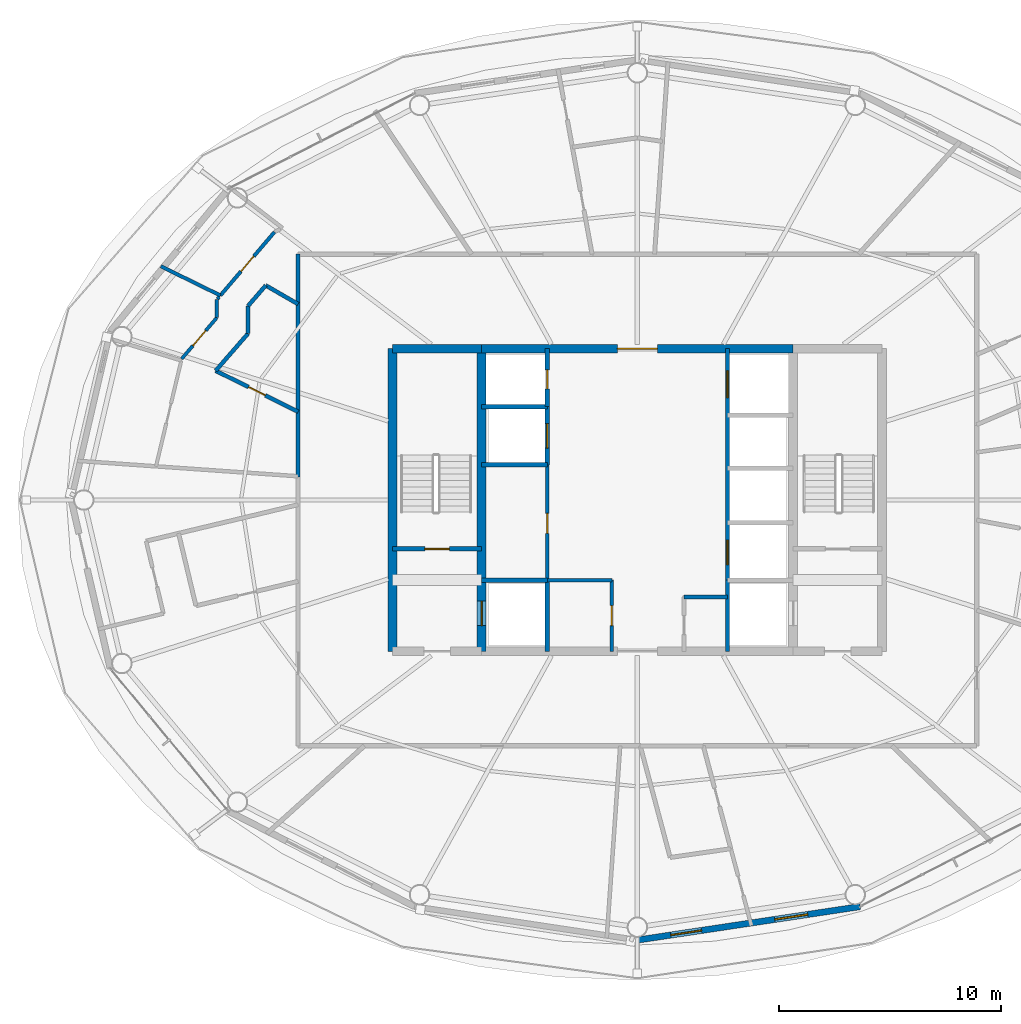
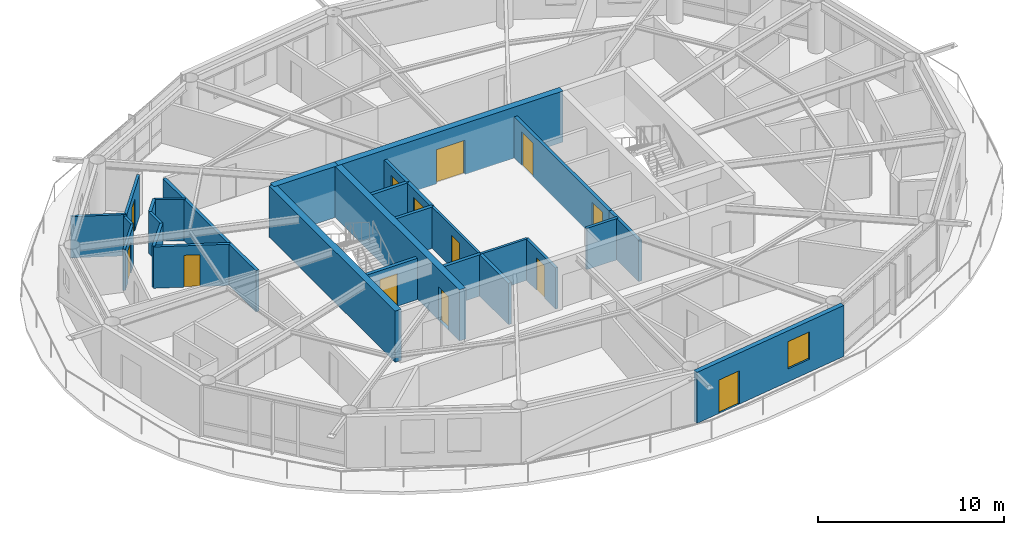
# One storey, part 16 of 22: 29 walls, 13 doors, 1 window, 14 openings.
"""IFC4 building model written with IfcOpenShell, lengths in metres."""

import ifcopenshell
import ifcopenshell.guid

model = None  # the IFC model being written
_history = None  # IfcOwnerHistory: only IFC2X3 demands one
_inside = {}  # id of a spatial element -> (the spatial element, [elements in it])
_under = {}  # id of a project, library or spatial element -> (it, [spatial elements below it])
_declared = {}  # id of a project -> (the project, [libraries it declares])
_typed = {}  # id of a type object -> (the type object, [elements of that type])
_made_of = {}  # id of a material, layer set ... -> (it, [elements and type objects made of it])


def new_model(schema):
    """Start an empty IFC model of exactly this schema.

    Asked for "IFC4X3", IfcOpenShell would pick the latest addendum, in which some entities
    have other attributes; the version numbers below select the first issue.
    IFC2X3 requires an IfcOwnerHistory on every rooted entity: one is made here for all.
    """
    global model, _history
    if schema == "IFC4X3":
        model = ifcopenshell.file(schema_version=(4, 3, 0, 0))
    else:
        model = ifcopenshell.file(schema=schema)
    _inside.clear()
    _under.clear()
    _declared.clear()
    _typed.clear()
    _made_of.clear()
    _history = None
    if model.schema == "IFC2X3":
        org = make("IfcOrganization", Name="unknown")
        user = make(
            "IfcPersonAndOrganization",
            ThePerson=make("IfcPerson", FamilyName="unknown"),
            TheOrganization=org,
        )
        app = make(
            "IfcApplication",
            ApplicationDeveloper=org,
            Version="unknown",
            ApplicationFullName="unknown",
            ApplicationIdentifier="unknown",
        )
        _history = make(
            "IfcOwnerHistory",
            OwningUser=user,
            OwningApplication=app,
            ChangeAction="ADDED",
            CreationDate=0,
        )
    return model


def make(cls, **values):
    """One entity of the class cls with the attributes given. An attribute that is None is left unset."""
    return model.create_entity(
        cls, **{name: value for name, value in values.items() if value is not None}
    )


def rooted(cls, **values):
    """An entity with a GlobalId (a new one), such as an element, a storey or a relation."""
    return make(cls, GlobalId=ifcopenshell.guid.new(), OwnerHistory=_history, **values)


def si_unit(unit_type, name, prefix=None):
    """IfcSIUnit, for example si_unit("LENGTHUNIT", "METRE", prefix="MILLI")."""
    return make("IfcSIUnit", UnitType=unit_type, Prefix=prefix, Name=name)


def assignment(units):
    """IfcUnitAssignment: the units of a project."""
    return None if units is None else make("IfcUnitAssignment", Units=units)


def point(xyz):
    """IfcCartesianPoint."""
    return None if xyz is None else make("IfcCartesianPoint", Coordinates=xyz)


def direction(xyz):
    """IfcDirection."""
    return None if xyz is None else make("IfcDirection", DirectionRatios=xyz)


def frame(location, z_axis=None, x_axis=None):
    """IfcAxis2Placement3D, a coordinate frame: its origin and axes. An axis left out is left unset."""
    return make(
        "IfcAxis2Placement3D",
        Location=point(location),
        Axis=direction(z_axis),
        RefDirection=direction(x_axis),
    )


def frame_2d(location, x_axis=None):
    """IfcAxis2Placement2D, a coordinate frame in the plane: its origin and x axis."""
    return make(
        "IfcAxis2Placement2D", Location=point(location), RefDirection=direction(x_axis)
    )


def origin():
    """The frame at (0, 0, 0) with its axes left unset."""
    return frame((0.0, 0.0, 0.0))


def place(relative_to, where):
    """IfcLocalPlacement: puts the frame where relative to a parent placement (None: the world)."""
    return make(
        "IfcLocalPlacement", PlacementRelTo=relative_to, RelativePlacement=where
    )


def context(
    kind, dimensions, precision=None, world=None, true_north=None, identifier=None
):
    """IfcGeometricRepresentationContext, for example the 3D "Model" context."""
    return make(
        "IfcGeometricRepresentationContext",
        ContextIdentifier=identifier,
        ContextType=kind,
        CoordinateSpaceDimension=dimensions,
        Precision=precision,
        WorldCoordinateSystem=world,
        TrueNorth=true_north,
    )


def subcontext(parent, identifier, kind, view, scale=None):
    """IfcGeometricRepresentationSubContext, for example "Body" below "Model"."""
    return make(
        "IfcGeometricRepresentationSubContext",
        ContextIdentifier=identifier,
        ContextType=kind,
        ParentContext=parent,
        TargetScale=scale,
        TargetView=view,
    )


def project(units=None, contexts=None):
    """IfcProject with its units and contexts."""
    return rooted(
        "IfcProject",
        Name="project",
        RepresentationContexts=contexts,
        UnitsInContext=assignment(units),
    )


def spatial(cls, under=None, at=None, **own):
    """A site, building, storey or space (cls), placed at a placement, below another one or the project."""
    s = rooted(cls, ObjectPlacement=at, **own)
    if under is not None:
        _under.setdefault(under.id(), (under, []))[1].append(s)
    return s


def profile(cls, at=None, kind="AREA", **sizes):
    """A parametric profile (cls). Its sizes go by their IFC names, for example OverallWidth=200.0."""
    return make(cls, ProfileType=kind, Position=at, **sizes)


def rectangle(**sizes):
    """IfcRectangleProfileDef."""
    return profile("IfcRectangleProfileDef", **sizes)


def extrude(swept, where, along, depth):
    """IfcExtrudedAreaSolid: the profile swept, set in the frame where, extruded along a direction by depth."""
    return make(
        "IfcExtrudedAreaSolid",
        SweptArea=swept,
        Position=where,
        ExtrudedDirection=direction(along),
        Depth=depth,
    )


def shape(context_of_items, identifier, shape_type, items):
    """IfcShapeRepresentation: the items that make up one representation, for example the "Body"."""
    return make(
        "IfcShapeRepresentation",
        ContextOfItems=context_of_items,
        RepresentationIdentifier=identifier,
        RepresentationType=shape_type,
        Items=items,
    )


def material(Name=None, Category=None):
    """IfcMaterial."""
    return make("IfcMaterial", Name=Name, Category=Category)


def layer(
    of_material, thickness, ventilated=None, Name=None, Category=None, Priority=None
):
    """IfcMaterialLayer: one layer of a wall or slab, of a material (None: an air gap)."""
    return make(
        "IfcMaterialLayer",
        Material=of_material,
        LayerThickness=thickness,
        IsVentilated=ventilated,
        Name=Name,
        Category=Category,
        Priority=Priority,
    )


def layer_set(layers, Name=None):
    """IfcMaterialLayerSet."""
    return make("IfcMaterialLayerSet", MaterialLayers=layers, LayerSetName=Name)


def made_of(thing, what):
    """Note that an element or type object is made of a material, layer set ...; save() writes the relation."""
    if what is not None:
        _made_of.setdefault(what.id(), (what, []))[1].append(thing)
    return thing


def type_object(cls, material=None, **own):
    """A type object (cls), such as IfcWallType, which elements share."""
    return made_of(rooted(cls, **own), material)


def element(
    cls,
    number,
    at=None,
    inside=None,
    cuts=None,
    type_object=None,
    material=None,
    context=None,
    identifier="Body",
    shape_type=None,
    held_by="IfcProductDefinitionShape",
    body=None,
    shapes=None,
    **own,
):
    """One element of the class cls, such as IfcWall. Its Tag is "e" and its number.

    at: its placement. inside: the storey or other place that contains it. cuts: it is an
    opening in that element (IfcRelVoidsElement). A single representation is given by context,
    identifier, shape_type and body (its items); several are given by shapes. held_by: the class
    of the entity that holds the representations. save() writes the other relations.
    """
    e = rooted(cls, Tag="e%d" % number, ObjectPlacement=at, **own)
    if body is not None:
        shapes = [shape(context, identifier, shape_type, body)]
    if shapes is not None:
        e.Representation = make(held_by, Representations=shapes)
    if inside is not None:
        _inside.setdefault(inside.id(), (inside, []))[1].append(e)
    if cuts is not None:
        rooted(
            "IfcRelVoidsElement", RelatingBuildingElement=cuts, RelatedOpeningElement=e
        )
    if type_object is not None:
        _typed.setdefault(type_object.id(), (type_object, []))[1].append(e)
    return made_of(e, material)


def fill(opening, filler):
    """IfcRelFillsElement: the door or window that sits in an opening."""
    return rooted(
        "IfcRelFillsElement",
        RelatingOpeningElement=opening,
        RelatedBuildingElement=filler,
    )


def aggregate(whole, parts):
    """IfcRelAggregates: a whole, such as a stair, and the parts it consists of."""
    return rooted("IfcRelAggregates", RelatingObject=whole, RelatedObjects=parts)


def save(model, path):
    """Write the relations noted so far, then the file.

    IfcRelAggregates (storeys below a building ...), IfcRelContainedInSpatialStructure (elements
    in a storey), IfcRelDefinesByType, IfcRelAssociatesMaterial and IfcRelDeclares: one each for
    every whole, place, type object, material and project.
    """
    for whole, parts in _under.values():
        aggregate(whole, parts)
    for where, things in _inside.values():
        rooted(
            "IfcRelContainedInSpatialStructure",
            RelatedElements=things,
            RelatingStructure=where,
        )
    for kind, things in _typed.values():
        rooted("IfcRelDefinesByType", RelatedObjects=things, RelatingType=kind)
    for what, things in _made_of.values():
        rooted("IfcRelAssociatesMaterial", RelatedObjects=things, RelatingMaterial=what)
    for by, libraries in _declared.values():
        rooted("IfcRelDeclares", RelatingContext=by, RelatedDefinitions=libraries)
    model.write(path)


model = new_model("IFC4")

# Units and contexts
model_context = context("Model", 3, precision=1e-05, world=origin(), true_north=direction((0.0, 1.0)))
body_context = subcontext(model_context, "Body", "Model", "MODEL_VIEW")
ifc_project = project(units=[si_unit("LENGTHUNIT", "METRE"), si_unit("AREAUNIT", "SQUARE_METRE"), si_unit("VOLUMEUNIT", "CUBIC_METRE"), si_unit("PLANEANGLEUNIT", "RADIAN"), si_unit("MASSUNIT", "GRAM", prefix="KILO")], contexts=[model_context])

# Site, building, storey
site_placement = place(None, origin())
site = spatial("IfcSite", under=ifc_project, at=site_placement, CompositionType="ELEMENT")
building_placement = place(site_placement, origin())
building = spatial("IfcBuilding", under=site, at=building_placement, Name="Sarneth Arch Tower", CompositionType="ELEMENT")
storey_placement = place(building_placement, frame((0.0, 0.0, 213.60009765625)))
storey = spatial("IfcBuildingStorey", under=building, at=storey_placement, Name="L54", CompositionType="ELEMENT", Elevation=213.60009765625)

# Wall
ifc_material_1 = material(Name="Concrete C50/60", Category="concrete")
ifc_layer_1 = layer(ifc_material_1, 0.39990234375)
ifc_layer_set_1 = layer_set([ifc_layer_1], Name="Concrete C50/60")
wall_type_1 = type_object("IfcWallType", Name="WALL-CORE-400", PredefinedType="SHEAR", material=ifc_layer_set_1)
wall_1_placement = place(storey_placement, frame((37.0, 48.800048828125, 0.0), z_axis=(0.0, 0.0, 1.0), x_axis=(1.0, 0.0, 0.0)))
element("IfcWall", 1, at=wall_1_placement, inside=storey, type_object=wall_type_1, Name="L54 Core shear wall N-W", PredefinedType="SHEAR", context=body_context, shape_type="SweptSolid", body=[
    extrude(rectangle(XDim=4.0, YDim=0.39990234375, at=frame_2d((2.0, 0.0))), origin(), (0.0, 0.0, 1.0), 3.35986328125),
])

# Wall, opening, door
wall_2_placement = place(storey_placement, frame((41.0, 48.800048828125, 0.0), z_axis=(0.0, 0.0, 1.0), x_axis=(1.0, 0.0, 0.0)))
wall_2 = element("IfcWall", 2, at=wall_2_placement, inside=storey, type_object=wall_type_1, Name="L54 Core shear wall N-M", PredefinedType="SHEAR", context=body_context, shape_type="SweptSolid", body=[
    extrude(rectangle(XDim=14.0, YDim=0.39990234375, at=frame_2d((7.0, 0.0))), origin(), (0.0, 0.0, 1.0), 3.35986328125),
])
opening_1_placement = place(wall_2_placement, frame((6.10009765625, 0.0, 0.0)))
opening_1 = element("IfcOpeningElement", 3, at=opening_1_placement, cuts=wall_2, Name="Opening FD-01", PredefinedType="OPENING", context=body_context, shape_type="SweptSolid", body=[
    extrude(rectangle(XDim=1.800048828125, YDim=2.25, at=frame_2d((0.89990234375, 1.125))), frame((0.0, 0.2099609375, 0.0), z_axis=(0.0, -1.0, 0.0), x_axis=(1.0, 0.0, 0.0)), (0.0, 0.0, 1.0), 0.419921875),
])
ifc_material_2 = material(Name="Galvanised Steel S275 fire door set", Category="steel")
door_type_1 = type_object("IfcDoorType", Name="DR-FD90-1800", OperationType="DOUBLE_DOOR_SINGLE_SWING", PredefinedType="DOOR", material=ifc_material_2)
door_1_placement = place(opening_1_placement, origin())
door_1 = element("IfcDoor", 4, at=door_1_placement, inside=storey, type_object=door_type_1, Name="L54 Central lift lobby north door", OperationType="DOUBLE_DOOR_SINGLE_SWING", OverallHeight=2.25, OverallWidth=1.800048828125, PredefinedType="DOOR", context=body_context, shape_type="SweptSolid", body=[
    extrude(rectangle(XDim=1.800048828125, YDim=2.25, at=frame_2d((0.89990234375, 1.125))), frame((0.0, 0.02490234375, 0.0), z_axis=(0.0, -1.0, 0.0), x_axis=(1.0, 0.0, 0.0)), (0.0, 0.0, 1.0), 0.050048828125),
])
fill(opening_1, door_1)

# Wall
wall_3_placement = place(storey_placement, frame((37.0, 35.199951171875, 0.0), z_axis=(0.0, 0.0, 1.0), x_axis=(0.0, 1.0, 0.0)))
element("IfcWall", 5, at=wall_3_placement, inside=storey, type_object=wall_type_1, Name="L54 Core shear wall W", PredefinedType="SHEAR", context=body_context, shape_type="SweptSolid", body=[
    extrude(rectangle(XDim=13.60009765625, YDim=0.39990234375, at=frame_2d((6.800048828125, 0.0))), origin(), (0.0, 0.0, 1.0), 3.35986328125),
])

# Wall, opening, door
wall_4_placement = place(storey_placement, frame((41.0, 35.199951171875, 0.0), z_axis=(0.0, 0.0, 1.0), x_axis=(0.0, 1.0, 0.0)))
wall_4 = element("IfcWall", 6, at=wall_4_placement, inside=storey, type_object=wall_type_1, Name="L54 Core shear wall WEB-W", PredefinedType="SHEAR", context=body_context, shape_type="SweptSolid", body=[
    extrude(rectangle(XDim=13.60009765625, YDim=0.39990234375, at=frame_2d((6.800048828125, 0.0))), origin(), (0.0, 0.0, 1.0), 3.35986328125),
])
opening_2_placement = place(wall_4_placement, frame((1.14990234375, 0.0, 0.0)))
opening_2 = element("IfcOpeningElement", 7, at=opening_2_placement, cuts=wall_4, Name="Opening LD-1", PredefinedType="OPENING", context=body_context, shape_type="SweptSolid", body=[
    extrude(rectangle(XDim=1.10009765625, YDim=2.199951171875, at=frame_2d((0.550048828125, 1.10009765625))), frame((0.0, 0.2099609375, 0.0), z_axis=(0.0, -1.0, 0.0), x_axis=(1.0, 0.0, 0.0)), (0.0, 0.0, 1.0), 0.419921875),
])
ifc_material_3 = material(Name="Brushed Stainless Steel 304 lift landing door", Category="steel")
door_type_2 = type_object("IfcDoorType", Name="DR-LIFT-SLIDE-1100", OperationType="SLIDING_TO_LEFT", PredefinedType="DOOR", material=ifc_material_3)
door_2_placement = place(opening_2_placement, origin())
door_2 = element("IfcDoor", 8, at=door_2_placement, inside=storey, type_object=door_type_2, Name="L54 Firefighting lift landing door FL-1", OperationType="SLIDING_TO_LEFT", OverallHeight=2.199951171875, OverallWidth=1.10009765625, PredefinedType="DOOR", context=body_context, shape_type="SweptSolid", body=[
    extrude(rectangle(XDim=1.10009765625, YDim=2.199951171875, at=frame_2d((0.550048828125, 1.10009765625))), frame((0.0, 0.02490234375, 0.0), z_axis=(0.0, -1.0, 0.0), x_axis=(1.0, 0.0, 0.0)), (0.0, 0.0, 1.0), 0.050048828125),
])
fill(opening_2, door_2)

# Wall
ifc_material_4 = material(Name="Double steel-stud corridor fire wall", Category="steel")
ifc_layer_2 = layer(ifc_material_4, 0.18994140625)
ifc_layer_set_2 = layer_set([ifc_layer_2], Name="Double steel-stud corridor fire wall")
wall_type_2 = type_object("IfcWallType", Name="WALL-CORR-190", PredefinedType="PARTITIONING", material=ifc_layer_set_2)
wall_5_placement = place(storey_placement, frame((32.75, 43.0341796875, 0.0), z_axis=(0.0, 0.0, 1.0), x_axis=(0.0, 1.0, 0.0)))
element("IfcWall", 9, at=wall_5_placement, inside=storey, type_object=wall_type_2, Name="L54 Interior partition W-L54-TP-011", PredefinedType="PARTITIONING", context=body_context, shape_type="SweptSolid", body=[
    extrude(rectangle(XDim=10.015869140625, YDim=0.18994140625, at=frame_2d((5.0078125, 0.0))), origin(), (0.0, 0.0, 1.0), 2.719970703125),
])

# Wall, openings, door, window
ifc_material_5 = material(Name="Extruded terracotta rainscreen on Concrete C40/50 backing", Category="masonry")
ifc_layer_3 = layer(ifc_material_5, 0.280029296875)
ifc_layer_set_3 = layer_set([ifc_layer_3], Name="Extruded terracotta rainscreen on Concrete C40/50 backing")
wall_type_3 = type_object("IfcWallType", Name="WALL-EXT-TERRA-280", PredefinedType="SOLIDWALL", material=ifc_layer_set_3)
wall_6_placement = place(storey_placement, frame((48.0, 22.219970703125, 0.0), z_axis=(0.0, 0.0, 1.0), x_axis=(0.988882522213, 0.148698881169, 0.0)))
wall_6 = element("IfcWall", 10, at=wall_6_placement, inside=storey, type_object=wall_type_3, Name="L54 Terracotta perimeter wall 13", PredefinedType="SOLIDWALL", context=body_context, shape_type="SweptSolid", body=[
    extrude(rectangle(XDim=10.125244140625, YDim=0.280029296875, at=frame_2d((5.0625, 0.0))), origin(), (0.0, 0.0, 1.0), 3.35986328125),
])
opening_3_placement = place(wall_6_placement, frame((1.51611328125, 0.0, 0.0)))
opening_3 = element("IfcOpeningElement", 11, at=opening_3_placement, cuts=wall_6, Name="Opening BD-2", PredefinedType="OPENING", context=body_context, shape_type="SweptSolid", body=[
    extrude(rectangle(XDim=1.39990234375, YDim=2.199951171875, at=frame_2d((0.699951171875, 1.10009765625))), frame((0.0, 0.14990234375, 0.0), z_axis=(0.0, -1.0, 0.0), x_axis=(1.0, 0.0, 0.0)), (0.0, 0.0, 1.0), 0.300048828125),
])
opening_4_placement = place(wall_6_placement, frame((6.25048828125, 0.0, 0.85009765625)))
opening_4 = element("IfcOpeningElement", 12, at=opening_4_placement, cuts=wall_6, Name="Opening W-07", PredefinedType="OPENING", context=body_context, shape_type="SweptSolid", body=[
    extrude(rectangle(XDim=1.5, YDim=1.800048828125, at=frame_2d((0.75, 0.89990234375))), frame((0.0, 0.14990234375, 0.0), z_axis=(0.0, -1.0, 0.0), x_axis=(1.0, 0.0, 0.0)), (0.0, 0.0, 1.0), 0.300048828125),
])
ifc_material_6 = material(Name="Thermally broken Aluminium 6063-T6 and laminated safety glass", Category="aluminium")
door_type_3 = type_object("IfcDoorType", Name="DR-BALC-GLZ-1400", OperationType="SINGLE_SWING_LEFT", PredefinedType="DOOR", material=ifc_material_6)
door_3_placement = place(opening_3_placement, origin())
door_3 = element("IfcDoor", 13, at=door_3_placement, inside=storey, type_object=door_type_3, Name="L54 Balcony glazed door 13", OperationType="SINGLE_SWING_LEFT", OverallHeight=2.199951171875, OverallWidth=1.39990234375, PredefinedType="DOOR", context=body_context, shape_type="SweptSolid", body=[
    extrude(rectangle(XDim=1.39990234375, YDim=2.199951171875, at=frame_2d((0.699951171875, 1.10009765625))), frame((0.0, 0.02490234375, 0.0), z_axis=(0.0, -1.0, 0.0), x_axis=(1.0, 0.0, 0.0)), (0.0, 0.0, 1.0), 0.050048828125),
])
fill(opening_3, door_3)
ifc_material_7 = material(Name="Thermally broken Aluminium 6063-T6 and low-e laminated IGU", Category="aluminium")
window_type = type_object("IfcWindowType", Name="WIN-TWR-1500x1800", PartitioningType="SINGLE_PANEL", PredefinedType="WINDOW", material=ifc_material_7)
window_placement = place(opening_4_placement, origin())
window = element("IfcWindow", 14, at=window_placement, inside=storey, type_object=window_type, Name="L54 Exterior window 13A", OverallHeight=1.800048828125, OverallWidth=1.5, PartitioningType="SINGLE_PANEL", PredefinedType="WINDOW", context=body_context, shape_type="SweptSolid", body=[
    extrude(rectangle(XDim=1.5, YDim=1.800048828125, at=frame_2d((0.75, 0.89990234375))), frame((0.0, 0.030029296875, 0.0), z_axis=(0.0, -1.0, 0.0), x_axis=(1.0, 0.0, 0.0)), (0.0, 0.0, 1.0), 0.06005859375),
])
fill(opening_4, window)

# Wall, opening, door
ifc_material_8 = material(Name="Acoustic gypsum stud partition", Category="gypsum")
ifc_layer_4 = layer(ifc_material_8, 0.14990234375)
ifc_layer_set_4 = layer_set([ifc_layer_4], Name="Acoustic gypsum stud partition")
wall_type_4 = type_object("IfcWallType", Name="WALL-PART-150", PredefinedType="PARTITIONING", material=ifc_layer_set_4)
wall_7_placement = place(storey_placement, frame((43.949951171875, 38.39990234375, 0.0), z_axis=(0.0, 0.0, 1.0), x_axis=(0.0, 1.0, 0.0)))
wall_7 = element("IfcWall", 15, at=wall_7_placement, inside=storey, type_object=wall_type_4, Name="L54 Interior partition W-L54-RECPL-E", PredefinedType="PARTITIONING", context=body_context, shape_type="SweptSolid", body=[
    extrude(rectangle(XDim=5.18017578125, YDim=0.14990234375, at=frame_2d((2.590087890625, 0.0))), origin(), (0.0, 0.0, 1.0), 2.719970703125),
])
opening_5_placement = place(wall_7_placement, frame((2.10009765625, 0.0, 0.0)))
opening_5 = element("IfcOpeningElement", 16, at=opening_5_placement, cuts=wall_7, Name="Opening FD-10", PredefinedType="OPENING", context=body_context, shape_type="SweptSolid", body=[
    extrude(rectangle(XDim=0.89990234375, YDim=2.14990234375, at=frame_2d((0.449951171875, 1.074951171875))), frame((0.0, 0.0849609375, 0.0), z_axis=(0.0, -1.0, 0.0), x_axis=(1.0, 0.0, 0.0)), (0.0, 0.0, 1.0), 0.169921875),
])
ifc_material_9 = material(Name="Galvanised Steel S275 riser/service fire door", Category="steel")
door_type_4 = type_object("IfcDoorType", Name="DR-FD60-900", OperationType="SINGLE_SWING_LEFT", PredefinedType="DOOR", material=ifc_material_9)
door_4_placement = place(opening_5_placement, origin())
door_4 = element("IfcDoor", 17, at=door_4_placement, inside=storey, type_object=door_type_4, Name="L54 Interior door DR-L54-RECPL1", OperationType="SINGLE_SWING_LEFT", OverallHeight=2.14990234375, OverallWidth=0.89990234375, PredefinedType="DOOR", context=body_context, shape_type="SweptSolid", body=[
    extrude(rectangle(XDim=0.89990234375, YDim=2.14990234375, at=frame_2d((0.449951171875, 1.074951171875))), frame((0.0, 0.02490234375, 0.0), z_axis=(0.0, -1.0, 0.0), x_axis=(1.0, 0.0, 0.0)), (0.0, 0.0, 1.0), 0.050048828125),
])
fill(opening_5, door_4)

# Wall
wall_8_placement = place(storey_placement, frame((43.949951171875, 38.39990234375, 0.0), z_axis=(0.0, 0.0, 1.0), x_axis=(1.0, 0.0, 0.0)))
element("IfcWall", 18, at=wall_8_placement, inside=storey, type_object=wall_type_4, Name="L54 Interior partition W-L54-CSUP1-N", PredefinedType="PARTITIONING", context=body_context, shape_type="SweptSolid", body=[
    extrude(rectangle(XDim=2.900146484375, YDim=0.14990234375, at=frame_2d((1.4501953125, 0.0))), origin(), (0.0, 0.0, 1.0), 2.719970703125),
])

# Wall, opening, door
wall_9_placement = place(storey_placement, frame((46.85009765625, 35.199951171875, 0.0), z_axis=(0.0, 0.0, 1.0), x_axis=(0.0, 1.0, 0.0)))
wall_9 = element("IfcWall", 19, at=wall_9_placement, inside=storey, type_object=wall_type_4, Name="L54 Interior partition W-L54-CSUP1-E", PredefinedType="PARTITIONING", context=body_context, shape_type="SweptSolid", body=[
    extrude(rectangle(XDim=3.199951171875, YDim=0.14990234375, at=frame_2d((1.60009765625, 0.0))), origin(), (0.0, 0.0, 1.0), 2.719970703125),
])
opening_6_placement = place(wall_9_placement, frame((1.14990234375, 0.0, 0.0)))
opening_6 = element("IfcOpeningElement", 20, at=opening_6_placement, cuts=wall_9, Name="Opening FD-10", PredefinedType="OPENING", context=body_context, shape_type="SweptSolid", body=[
    extrude(rectangle(XDim=0.89990234375, YDim=2.14990234375, at=frame_2d((0.449951171875, 1.074951171875))), frame((0.0, 0.0849609375, 0.0), z_axis=(0.0, -1.0, 0.0), x_axis=(1.0, 0.0, 0.0)), (0.0, 0.0, 1.0), 0.169921875),
])
door_5_placement = place(opening_6_placement, origin())
door_5 = element("IfcDoor", 21, at=door_5_placement, inside=storey, type_object=door_type_4, Name="L54 Interior door DR-L54-CSUP1", OperationType="SINGLE_SWING_LEFT", OverallHeight=2.14990234375, OverallWidth=0.89990234375, PredefinedType="DOOR", context=body_context, shape_type="SweptSolid", body=[
    extrude(rectangle(XDim=0.89990234375, YDim=2.14990234375, at=frame_2d((0.449951171875, 1.074951171875))), frame((0.0, 0.02490234375, 0.0), z_axis=(0.0, -1.0, 0.0), x_axis=(1.0, 0.0, 0.0)), (0.0, 0.0, 1.0), 0.050048828125),
])
fill(opening_6, door_5)

wall_10_placement = place(storey_placement, frame((29.10009765625, 50.197021484375, 0.0), z_axis=(0.0, 0.0, 1.0), x_axis=(-0.649270866973, -0.760557257082, 0.0)))
wall_10 = element("IfcWall", 22, at=wall_10_placement, inside=storey, type_object=wall_type_4, Name="L54 Interior partition W-L54-TP-049", PredefinedType="PARTITIONING", context=body_context, shape_type="SweptSolid", body=[
    extrude(rectangle(XDim=2.43505859375, YDim=0.14990234375, at=frame_2d((1.217529296875, 0.0))), origin(), (0.0, 0.0, 1.0), 2.719970703125),
])
opening_7_placement = place(wall_10_placement, frame((0.767578125, 0.0, 0.0)))
opening_7 = element("IfcOpeningElement", 23, at=opening_7_placement, cuts=wall_10, Name="Opening ID-01", PredefinedType="OPENING", context=body_context, shape_type="SweptSolid", body=[
    extrude(rectangle(XDim=0.89990234375, YDim=2.10009765625, at=frame_2d((0.449951171875, 1.050048828125))), frame((0.0, 0.0849609375, 0.0), z_axis=(0.0, -1.0, 0.0), x_axis=(1.0, 0.0, 0.0)), (0.0, 0.0, 1.0), 0.169921875),
])
ifc_material_10 = material(Name="Engineered hardwood flush door", Category="wood")
door_type_5 = type_object("IfcDoorType", Name="DR-INT-900", OperationType="SINGLE_SWING_LEFT", PredefinedType="DOOR", material=ifc_material_10)
door_6_placement = place(opening_7_placement, origin())
door_6 = element("IfcDoor", 24, at=door_6_placement, inside=storey, type_object=door_type_5, Name="L54 Interior door DR-L54-U4-BED1", OperationType="SINGLE_SWING_LEFT", OverallHeight=2.10009765625, OverallWidth=0.89990234375, PredefinedType="DOOR", context=body_context, shape_type="SweptSolid", body=[
    extrude(rectangle(XDim=0.89990234375, YDim=2.10009765625, at=frame_2d((0.449951171875, 1.050048828125))), frame((0.0, 0.02490234375, 0.0), z_axis=(0.0, -1.0, 0.0), x_axis=(1.0, 0.0, 0.0)), (0.0, 0.0, 1.0), 0.050048828125),
])
fill(opening_7, door_6)

# Walls
wall_11_placement = place(storey_placement, frame((29.10009765625, 51.007080078125, 0.0), z_axis=(0.0, 0.0, 1.0), x_axis=(0.0, -1.0, 0.0)))
element("IfcWall", 25, at=wall_11_placement, inside=storey, type_object=wall_type_4, Name="L54 Interior partition W-L54-TP-048", PredefinedType="PARTITIONING", context=body_context, shape_type="SweptSolid", body=[
    extrude(rectangle(XDim=0.81005859375, YDim=0.14990234375, at=frame_2d((0.405029296875, 0.0))), origin(), (0.0, 0.0, 1.0), 2.719970703125),
])
wall_12_placement = place(storey_placement, frame((29.201416015625, 51.125732421875, 0.0), z_axis=(0.0, 0.0, 1.0), x_axis=(-0.649232735888, -0.760589807092, 0.0)))
element("IfcWall", 26, at=wall_12_placement, inside=storey, type_object=wall_type_4, Name="L54 Interior partition W-L54-TP-047", PredefinedType="PARTITIONING", context=body_context, shape_type="SweptSolid", body=[
    extrude(rectangle(XDim=0.1162109375, YDim=0.14990234375, at=frame_2d((0.05810546875, 0.0))), origin(), (0.0, 0.0, 1.0), 2.719970703125),
])

# Wall, opening, door
ifc_material_11 = material(Name="Kitchen wet service chase wall", Category="gypsum")
ifc_layer_5 = layer(ifc_material_11, 0.159912109375)
ifc_layer_set_5 = layer_set([ifc_layer_5], Name="Kitchen wet service chase wall")
wall_type_5 = type_object("IfcWallType", Name="WALL-PLUMB-160", PredefinedType="PLUMBINGWALL", material=ifc_layer_set_5)
wall_13_placement = place(storey_placement, frame((31.68896484375, 54.0419921875, 0.0), z_axis=(0.0, 0.0, 1.0), x_axis=(-0.648996547252, -0.760791352248, 0.0)))
wall_13 = element("IfcWall", 27, at=wall_13_placement, inside=storey, type_object=wall_type_5, Name="L54 Interior partition W-L54-TP-041", PredefinedType="PLUMBINGWALL", context=body_context, shape_type="SweptSolid", body=[
    extrude(rectangle(XDim=3.745361328125, YDim=0.159912109375, at=frame_2d((1.87255859375, 0.0))), origin(), (0.0, 0.0, 1.0), 2.719970703125),
])
opening_8_placement = place(wall_13_placement, frame((1.422607421875, 0.0, 0.0)))
opening_8 = element("IfcOpeningElement", 28, at=opening_8_placement, cuts=wall_13, Name="Opening ID-01", PredefinedType="OPENING", context=body_context, shape_type="SweptSolid", body=[
    extrude(rectangle(XDim=0.89990234375, YDim=2.10009765625, at=frame_2d((0.449951171875, 1.050048828125))), frame((0.0, 0.08984375, 0.0), z_axis=(0.0, -1.0, 0.0), x_axis=(1.0, 0.0, 0.0)), (0.0, 0.0, 1.0), 0.179931640625),
])
door_7_placement = place(opening_8_placement, origin())
door_7 = element("IfcDoor", 29, at=door_7_placement, inside=storey, type_object=door_type_5, Name="L54 Interior door DR-L54-U4-KIT", OperationType="SINGLE_SWING_LEFT", OverallHeight=2.10009765625, OverallWidth=0.89990234375, PredefinedType="DOOR", context=body_context, shape_type="SweptSolid", body=[
    extrude(rectangle(XDim=0.89990234375, YDim=2.10009765625, at=frame_2d((0.449951171875, 1.050048828125))), frame((0.0, 0.02490234375, 0.0), z_axis=(0.0, -1.0, 0.0), x_axis=(1.0, 0.0, 0.0)), (0.0, 0.0, 1.0), 0.050048828125),
])
fill(opening_8, door_7)

# Walls
wall_14_placement = place(storey_placement, frame((29.25830078125, 51.192626953125, 0.0), z_axis=(0.0, 0.0, 1.0), x_axis=(-0.897810810902, 0.440381366348, 0.0)))
element("IfcWall", 30, at=wall_14_placement, inside=storey, type_object=wall_type_5, Name="L54 Interior partition W-L54-TP-052", PredefinedType="PLUMBINGWALL", context=body_context, shape_type="SweptSolid", body=[
    extrude(rectangle(XDim=2.978759765625, YDim=0.159912109375, at=frame_2d((1.4892578125, 0.0))), origin(), (0.0, 0.0, 1.0), 2.719970703125),
])
ifc_material_12 = material(Name="Moisture-resistant plumbing chase wall", Category="gypsum")
ifc_layer_6 = layer(ifc_material_12, 0.179931640625)
ifc_layer_set_6 = layer_set([ifc_layer_6], Name="Moisture-resistant plumbing chase wall")
wall_type_6 = type_object("IfcWallType", Name="WALL-PLUMB-180", PredefinedType="PLUMBINGWALL", material=ifc_layer_set_6)
wall_15_placement = place(storey_placement, frame((50.10009765625, 37.64990234375, 0.0), z_axis=(0.0, 0.0, 1.0), x_axis=(1.0, 0.0, 0.0)))
element("IfcWall", 31, at=wall_15_placement, inside=storey, type_object=wall_type_6, Name="L54 Interior partition W-L54-AWC-N", PredefinedType="PLUMBINGWALL", context=body_context, shape_type="SweptSolid", body=[
    extrude(rectangle(XDim=1.949951171875, YDim=0.179931640625, at=frame_2d((0.97509765625, 0.0))), origin(), (0.0, 0.0, 1.0), 2.719970703125),
])

# Wall, opening, door
wall_16_placement = place(storey_placement, frame((29.0458984375, 47.809326171875, 0.0), z_axis=(0.0, 0.0, 1.0), x_axis=(0.895675225239, -0.444708770876, 0.0)))
wall_16 = element("IfcWall", 32, at=wall_16_placement, inside=storey, type_object=wall_type_6, Name="L54 Interior partition W-L54-TP-046", PredefinedType="PLUMBINGWALL", context=body_context, shape_type="SweptSolid", body=[
    extrude(rectangle(XDim=4.135498046875, YDim=0.179931640625, at=frame_2d((2.06787109375, 0.0))), origin(), (0.0, 0.0, 1.0), 2.719970703125),
])
opening_9_placement = place(wall_16_placement, frame((1.642822265625, 0.0, 0.0)))
opening_9 = element("IfcOpeningElement", 33, at=opening_9_placement, cuts=wall_16, Name="Opening ID-02", PredefinedType="OPENING", context=body_context, shape_type="SweptSolid", body=[
    extrude(rectangle(XDim=0.85009765625, YDim=2.10009765625, at=frame_2d((0.425048828125, 1.050048828125))), frame((0.0, 0.099853515625, 0.0), z_axis=(0.0, -1.0, 0.0), x_axis=(1.0, 0.0, 0.0)), (0.0, 0.0, 1.0), 0.199951171875),
])
ifc_material_13 = material(Name="Moisture-resistant bathroom timber door", Category="wood")
door_type_6 = type_object("IfcDoorType", Name="DR-INT-850", OperationType="SINGLE_SWING_RIGHT", PredefinedType="DOOR", material=ifc_material_13)
door_8_placement = place(opening_9_placement, origin())
door_8 = element("IfcDoor", 34, at=door_8_placement, inside=storey, type_object=door_type_6, Name="L54 Interior door DR-L54-U4-BATH", OperationType="SINGLE_SWING_RIGHT", OverallHeight=2.10009765625, OverallWidth=0.85009765625, PredefinedType="DOOR", context=body_context, shape_type="SweptSolid", body=[
    extrude(rectangle(XDim=0.85009765625, YDim=2.10009765625, at=frame_2d((0.425048828125, 1.050048828125))), frame((0.0, 0.02490234375, 0.0), z_axis=(0.0, -1.0, 0.0), x_axis=(1.0, 0.0, 0.0)), (0.0, 0.0, 1.0), 0.050048828125),
])
fill(opening_9, door_8)

# Walls
wall_17_placement = place(storey_placement, frame((30.5, 49.480712890625, 0.0), z_axis=(0.0, 0.0, 1.0), x_axis=(-0.656364223854, -0.754444169998, 0.0)))
element("IfcWall", 35, at=wall_17_placement, inside=storey, type_object=wall_type_6, Name="L54 Interior partition W-L54-TP-045", PredefinedType="PLUMBINGWALL", context=body_context, shape_type="SweptSolid", body=[
    extrude(rectangle(XDim=2.21533203125, YDim=0.179931640625, at=frame_2d((1.107666015625, 0.0))), origin(), (0.0, 0.0, 1.0), 2.719970703125),
])
wall_18_placement = place(storey_placement, frame((32.75, 50.8046875, 0.0), z_axis=(0.0, 0.0, 1.0), x_axis=(-0.866013522419, 0.500020578564, 0.0)))
element("IfcWall", 36, at=wall_18_placement, inside=storey, type_object=wall_type_6, Name="L54 Interior partition W-L54-TP-042", PredefinedType="PLUMBINGWALL", context=body_context, shape_type="SweptSolid", body=[
    extrude(rectangle(XDim=1.677734375, YDim=0.179931640625, at=frame_2d((0.8388671875, 0.0))), origin(), (0.0, 0.0, 1.0), 2.719970703125),
])
wall_19_placement = place(storey_placement, frame((30.5, 50.72119140625, 0.0), z_axis=(0.0, 0.0, 1.0), x_axis=(0.0, -1.0, 0.0)))
element("IfcWall", 37, at=wall_19_placement, inside=storey, type_object=wall_type_6, Name="L54 Interior partition W-L54-TP-044", PredefinedType="PLUMBINGWALL", context=body_context, shape_type="SweptSolid", body=[
    extrude(rectangle(XDim=1.240478515625, YDim=0.179931640625, at=frame_2d((0.6201171875, 0.0))), origin(), (0.0, 0.0, 1.0), 2.719970703125),
])
wall_20_placement = place(storey_placement, frame((31.297119140625, 51.6435546875, 0.0), z_axis=(0.0, 0.0, 1.0), x_axis=(-0.653870108477, -0.756606820773, 0.0)))
element("IfcWall", 38, at=wall_20_placement, inside=storey, type_object=wall_type_6, Name="L54 Interior partition W-L54-TP-043", PredefinedType="PLUMBINGWALL", context=body_context, shape_type="SweptSolid", body=[
    extrude(rectangle(XDim=1.218994140625, YDim=0.179931640625, at=frame_2d((0.609375, 0.0))), origin(), (0.0, 0.0, 1.0), 2.719970703125),
])

# Wall, opening, door
ifc_material_14 = material(Name="Aerated concrete blockwork C25/30", Category="masonry")
ifc_layer_7 = layer(ifc_material_14, 0.199951171875)
ifc_layer_set_7 = layer_set([ifc_layer_7], Name="Aerated concrete blockwork C25/30")
wall_type_7 = type_object("IfcWallType", Name="WALL-SHAFT-200", PredefinedType="SOLIDWALL", material=ifc_layer_set_7)
wall_21_placement = place(storey_placement, frame((37.0, 39.800048828125, 0.0), z_axis=(0.0, 0.0, 1.0), x_axis=(1.0, 0.0, 0.0)))
wall_21 = element("IfcWall", 39, at=wall_21_placement, inside=storey, type_object=wall_type_7, Name="L54 Interior partition W-L54-ST1-S", PredefinedType="SOLIDWALL", context=body_context, shape_type="SweptSolid", body=[
    extrude(rectangle(XDim=4.0, YDim=0.199951171875, at=frame_2d((2.0, 0.0))), origin(), (0.0, 0.0, 1.0), 2.719970703125),
])
opening_10_placement = place(wall_21_placement, frame((1.449951171875, 0.0, 0.0)))
opening_10 = element("IfcOpeningElement", 40, at=opening_10_placement, cuts=wall_21, Name="Opening FD-03", PredefinedType="OPENING", context=body_context, shape_type="SweptSolid", body=[
    extrude(rectangle(XDim=1.10009765625, YDim=2.14990234375, at=frame_2d((0.550048828125, 1.074951171875))), frame((0.0, 0.10986328125, 0.0), z_axis=(0.0, -1.0, 0.0), x_axis=(1.0, 0.0, 0.0)), (0.0, 0.0, 1.0), 0.219970703125),
])
ifc_material_15 = material(Name="Galvanised Steel S275 fire door set", Category="steel")
door_type_7 = type_object("IfcDoorType", Name="DR-FD90-1100", OperationType="SINGLE_SWING_LEFT", PredefinedType="DOOR", material=ifc_material_15)
door_9_placement = place(opening_10_placement, origin())
door_9 = element("IfcDoor", 41, at=door_9_placement, inside=storey, type_object=door_type_7, Name="L54 Interior door DR-L54-ST1", OperationType="SINGLE_SWING_LEFT", OverallHeight=2.14990234375, OverallWidth=1.10009765625, PredefinedType="DOOR", context=body_context, shape_type="SweptSolid", body=[
    extrude(rectangle(XDim=1.10009765625, YDim=2.14990234375, at=frame_2d((0.550048828125, 1.074951171875))), frame((0.0, 0.02490234375, 0.0), z_axis=(0.0, -1.0, 0.0), x_axis=(1.0, 0.0, 0.0)), (0.0, 0.0, 1.0), 0.050048828125),
])
fill(opening_10, door_9)

# Walls
wall_22_placement = place(storey_placement, frame((43.949951171875, 35.199951171875, 0.0), z_axis=(0.0, 0.0, 1.0), x_axis=(0.0, 1.0, 0.0)))
element("IfcWall", 42, at=wall_22_placement, inside=storey, type_object=wall_type_7, Name="L54 Interior partition W-L54-FL1-E", PredefinedType="SOLIDWALL", context=body_context, shape_type="SweptSolid", body=[
    extrude(rectangle(XDim=3.199951171875, YDim=0.199951171875, at=frame_2d((1.60009765625, 0.0))), origin(), (0.0, 0.0, 1.0), 2.719970703125),
])
wall_23_placement = place(storey_placement, frame((41.0, 38.39990234375, 0.0), z_axis=(0.0, 0.0, 1.0), x_axis=(1.0, 0.0, 0.0)))
element("IfcWall", 43, at=wall_23_placement, inside=storey, type_object=wall_type_7, Name="L54 Interior partition W-L54-FL1-N", PredefinedType="SOLIDWALL", context=body_context, shape_type="SweptSolid", body=[
    extrude(rectangle(XDim=2.949951171875, YDim=0.199951171875, at=frame_2d((1.47509765625, 0.0))), origin(), (0.0, 0.0, 1.0), 2.719970703125),
])
wall_24_placement = place(storey_placement, frame((52.050048828125, 35.199951171875, 0.0), z_axis=(0.0, 0.0, 1.0), x_axis=(0.0, 1.0, 0.0)))
element("IfcWall", 44, at=wall_24_placement, inside=storey, type_object=wall_type_7, Name="L54 Interior partition W-L54-FL2-W", PredefinedType="SOLIDWALL", context=body_context, shape_type="SweptSolid", body=[
    extrude(rectangle(XDim=3.199951171875, YDim=0.199951171875, at=frame_2d((1.60009765625, 0.0))), origin(), (0.0, 0.0, 1.0), 2.719970703125),
])
wall_25_placement = place(storey_placement, frame((41.0, 46.199951171875, 0.0), z_axis=(0.0, 0.0, 1.0), x_axis=(1.0, 0.0, 0.0)))
element("IfcWall", 45, at=wall_25_placement, inside=storey, type_object=wall_type_7, Name="L54 Interior partition W-L54-RISER-S", PredefinedType="SOLIDWALL", context=body_context, shape_type="SweptSolid", body=[
    extrude(rectangle(XDim=2.949951171875, YDim=0.199951171875, at=frame_2d((1.47509765625, 0.0))), origin(), (0.0, 0.0, 1.0), 2.719970703125),
])

# Wall, opening, door
wall_26_placement = place(storey_placement, frame((43.949951171875, 46.199951171875, 0.0), z_axis=(0.0, 0.0, 1.0), x_axis=(0.0, 1.0, 0.0)))
wall_26 = element("IfcWall", 46, at=wall_26_placement, inside=storey, type_object=wall_type_7, Name="L54 Interior partition W-L54-RISER-E", PredefinedType="SOLIDWALL", context=body_context, shape_type="SweptSolid", body=[
    extrude(rectangle(XDim=2.60009765625, YDim=0.199951171875, at=frame_2d((1.300048828125, 0.0))), origin(), (0.0, 0.0, 1.0), 2.719970703125),
])
opening_11_placement = place(wall_26_placement, frame((0.800048828125, 0.0, 0.0)))
opening_11 = element("IfcOpeningElement", 47, at=opening_11_placement, cuts=wall_26, Name="Opening FD-11", PredefinedType="OPENING", context=body_context, shape_type="SweptSolid", body=[
    extrude(rectangle(XDim=0.85009765625, YDim=2.14990234375, at=frame_2d((0.425048828125, 1.074951171875))), frame((0.0, 0.10986328125, 0.0), z_axis=(0.0, -1.0, 0.0), x_axis=(1.0, 0.0, 0.0)), (0.0, 0.0, 1.0), 0.219970703125),
])
ifc_material_16 = material(Name="Galvanised Steel S275 closet fire door", Category="steel")
door_type_8 = type_object("IfcDoorType", Name="DR-FD60-850", OperationType="SINGLE_SWING_LEFT", PredefinedType="DOOR", material=ifc_material_16)
door_10_placement = place(opening_11_placement, origin())
door_10 = element("IfcDoor", 48, at=door_10_placement, inside=storey, type_object=door_type_8, Name="L54 Lift landing door DR-L54-RISER", OperationType="SINGLE_SWING_LEFT", OverallHeight=2.14990234375, OverallWidth=0.85009765625, PredefinedType="DOOR", context=body_context, shape_type="SweptSolid", body=[
    extrude(rectangle(XDim=0.85009765625, YDim=2.14990234375, at=frame_2d((0.425048828125, 1.074951171875))), frame((0.0, 0.02490234375, 0.0), z_axis=(0.0, -1.0, 0.0), x_axis=(1.0, 0.0, 0.0)), (0.0, 0.0, 1.0), 0.050048828125),
])
fill(opening_11, door_10)

# Wall
wall_27_placement = place(storey_placement, frame((41.0, 43.580078125, 0.0), z_axis=(0.0, 0.0, 1.0), x_axis=(1.0, 0.0, 0.0)))
element("IfcWall", 49, at=wall_27_placement, inside=storey, type_object=wall_type_7, Name="L54 Interior partition W-L54-PM1-S", PredefinedType="SOLIDWALL", context=body_context, shape_type="SweptSolid", body=[
    extrude(rectangle(XDim=2.949951171875, YDim=0.199951171875, at=frame_2d((1.47509765625, 0.0))), origin(), (0.0, 0.0, 1.0), 2.719970703125),
])

# Wall, opening, door
wall_28_placement = place(storey_placement, frame((43.949951171875, 43.580078125, 0.0), z_axis=(0.0, 0.0, 1.0), x_axis=(0.0, 1.0, 0.0)))
wall_28 = element("IfcWall", 50, at=wall_28_placement, inside=storey, type_object=wall_type_7, Name="L54 Interior partition W-L54-PM1-FRONT", PredefinedType="SOLIDWALL", context=body_context, shape_type="SweptSolid", body=[
    extrude(rectangle(XDim=2.619873046875, YDim=0.199951171875, at=frame_2d((1.31005859375, 0.0))), origin(), (0.0, 0.0, 1.0), 2.719970703125),
])
opening_12_placement = place(wall_28_placement, frame((0.75, 0.0, 0.0)))
opening_12 = element("IfcOpeningElement", 51, at=opening_12_placement, cuts=wall_28, Name="Opening LD-1", PredefinedType="OPENING", context=body_context, shape_type="SweptSolid", body=[
    extrude(rectangle(XDim=1.10009765625, YDim=2.199951171875, at=frame_2d((0.550048828125, 1.10009765625))), frame((0.0, 0.10986328125, 0.0), z_axis=(0.0, -1.0, 0.0), x_axis=(1.0, 0.0, 0.0)), (0.0, 0.0, 1.0), 0.219970703125),
])
door_11_placement = place(opening_12_placement, origin())
door_11 = element("IfcDoor", 52, at=door_11_placement, inside=storey, type_object=door_type_2, Name="L54 Lift landing door DR-L54-LD-PM1", OperationType="SLIDING_TO_LEFT", OverallHeight=2.199951171875, OverallWidth=1.10009765625, PredefinedType="DOOR", context=body_context, shape_type="SweptSolid", body=[
    extrude(rectangle(XDim=1.10009765625, YDim=2.199951171875, at=frame_2d((0.550048828125, 1.10009765625))), frame((0.0, 0.02490234375, 0.0), z_axis=(0.0, -1.0, 0.0), x_axis=(1.0, 0.0, 0.0)), (0.0, 0.0, 1.0), 0.050048828125),
])
fill(opening_12, door_11)

# Wall, openings, doors
wall_29_placement = place(storey_placement, frame((52.050048828125, 38.39990234375, 0.0), z_axis=(0.0, 0.0, 1.0), x_axis=(0.0, 1.0, 0.0)))
wall_29 = element("IfcWall", 53, at=wall_29_placement, inside=storey, type_object=wall_type_7, Name="L54 Interior partition W-L54-EASTBANK-FRONT", PredefinedType="SOLIDWALL", context=body_context, shape_type="SweptSolid", body=[
    extrude(rectangle(XDim=10.400146484375, YDim=0.199951171875, at=frame_2d((5.2001953125, 0.0))), origin(), (0.0, 0.0, 1.0), 2.719970703125),
])
opening_13_placement = place(wall_29_placement, frame((0.699951171875, 0.0, 0.0)))
opening_13 = element("IfcOpeningElement", 54, at=opening_13_placement, cuts=wall_29, Name="Opening LD-1", PredefinedType="OPENING", context=body_context, shape_type="SweptSolid", body=[
    extrude(rectangle(XDim=1.10009765625, YDim=2.199951171875, at=frame_2d((0.550048828125, 1.10009765625))), frame((0.0, 0.10986328125, 0.0), z_axis=(0.0, -1.0, 0.0), x_axis=(1.0, 0.0, 0.0)), (0.0, 0.0, 1.0), 0.219970703125),
])
opening_14_placement = place(wall_29_placement, frame((8.199951171875, 0.0, 0.0)))
opening_14 = element("IfcOpeningElement", 55, at=opening_14_placement, cuts=wall_29, Name="Opening LD-2", PredefinedType="OPENING", context=body_context, shape_type="SweptSolid", body=[
    extrude(rectangle(XDim=1.199951171875, YDim=2.199951171875, at=frame_2d((0.60009765625, 1.10009765625))), frame((0.0, 0.10986328125, 0.0), z_axis=(0.0, -1.0, 0.0), x_axis=(1.0, 0.0, 0.0)), (0.0, 0.0, 1.0), 0.219970703125),
])
door_12_placement = place(opening_13_placement, origin())
door_12 = element("IfcDoor", 56, at=door_12_placement, inside=storey, type_object=door_type_2, Name="L54 Lift landing door DR-L54-LD-PM2", OperationType="SLIDING_TO_LEFT", OverallHeight=2.199951171875, OverallWidth=1.10009765625, PredefinedType="DOOR", context=body_context, shape_type="SweptSolid", body=[
    extrude(rectangle(XDim=1.10009765625, YDim=2.199951171875, at=frame_2d((0.550048828125, 1.10009765625))), frame((0.0, 0.02490234375, 0.0), z_axis=(0.0, -1.0, 0.0), x_axis=(1.0, 0.0, 0.0)), (0.0, 0.0, 1.0), 0.050048828125),
])
fill(opening_13, door_12)
ifc_material_17 = material(Name="Brushed Stainless Steel 304 service lift door", Category="steel")
door_type_9 = type_object("IfcDoorType", Name="DR-LIFT-SLIDE-1200", OperationType="SLIDING_TO_RIGHT", PredefinedType="DOOR", material=ifc_material_17)
door_13_placement = place(opening_14_placement, origin())
door_13 = element("IfcDoor", 57, at=door_13_placement, inside=storey, type_object=door_type_9, Name="L54 Lift landing door DR-L54-LD-SL1", OperationType="SLIDING_TO_RIGHT", OverallHeight=2.199951171875, OverallWidth=1.199951171875, PredefinedType="DOOR", context=body_context, shape_type="SweptSolid", body=[
    extrude(rectangle(XDim=1.199951171875, YDim=2.199951171875, at=frame_2d((0.60009765625, 1.10009765625))), frame((0.0, 0.02490234375, 0.0), z_axis=(0.0, -1.0, 0.0), x_axis=(1.0, 0.0, 0.0)), (0.0, 0.0, 1.0), 0.050048828125),
])
fill(opening_14, door_13)

save(model, "model.ifc")
